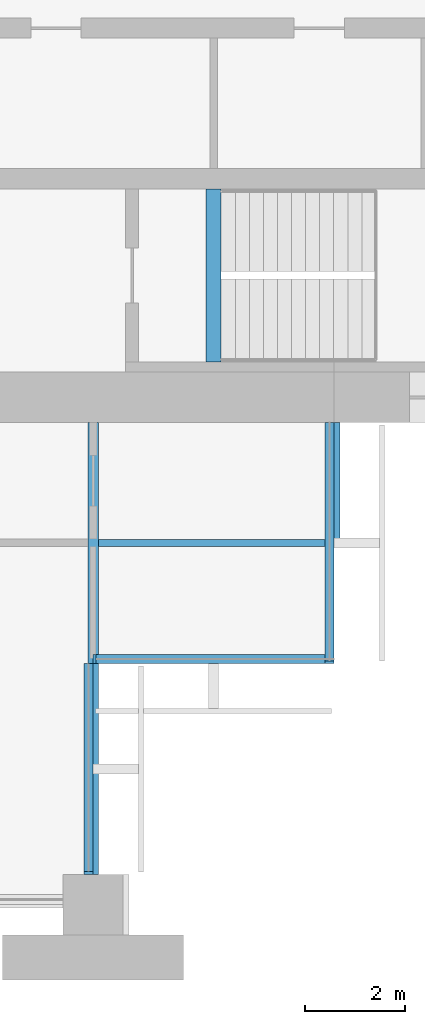
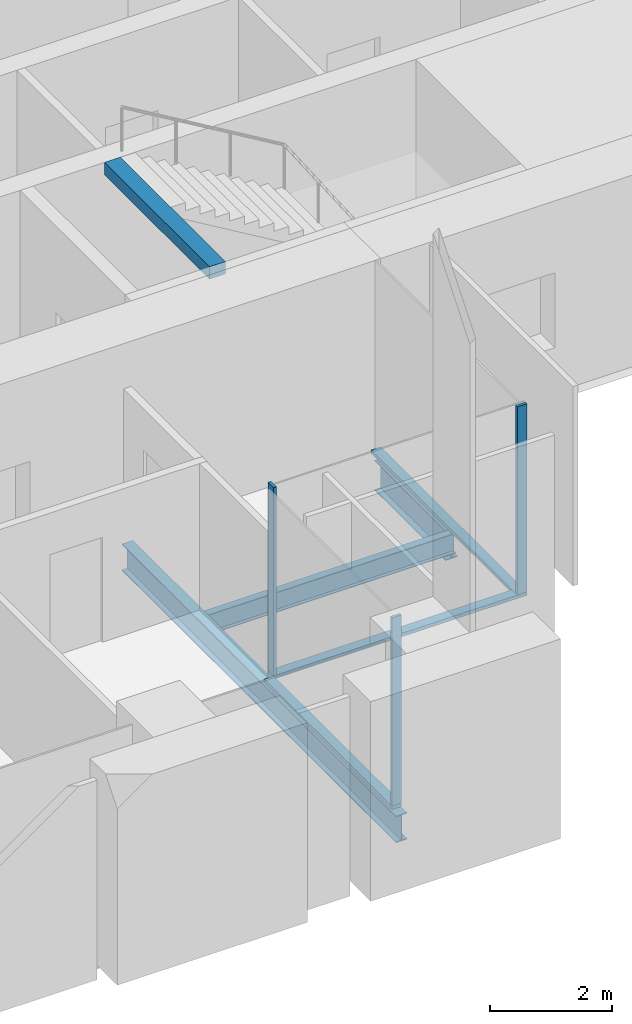
# One storey, part 4 of 14: 6 members, 4 beams, 3 elements without a shape of their own.
"""IFC4 building model written with IfcOpenShell, lengths in metres."""

from ifc_helpers import new_model, si_unit, direction, frame, origin, origin_2d, place, context, subcontext, project, spatial, rectangle, i_section, extrude, material, material_profile, profile_set, type_object, element, aggregate, save


model = new_model("IFC4")

# Units and contexts
model_context = context("Model", 3, precision=1e-05, world=origin(), true_north=direction((0.0, 1.0)))
body_context = subcontext(model_context, "Body", "Model", "MODEL_VIEW")
ifc_project = project(units=[si_unit("LENGTHUNIT", "METRE"), si_unit("AREAUNIT", "SQUARE_METRE"), si_unit("VOLUMEUNIT", "CUBIC_METRE"), si_unit("PLANEANGLEUNIT", "RADIAN"), si_unit("MASSUNIT", "GRAM", prefix="KILO")], contexts=[model_context])

# Site, building, storey
site_placement = place(None, origin())
site = spatial("IfcSite", under=ifc_project, at=site_placement, CompositionType="ELEMENT")
building_placement = place(site_placement, origin())
building = spatial("IfcBuilding", under=site, at=building_placement, Name="Baori Bourse Tower", CompositionType="ELEMENT")
storey_placement = place(building_placement, frame((0.0, 0.0, 132.10009765625)))
storey = spatial("IfcBuildingStorey", under=building, at=storey_placement, Name="L28", CompositionType="ELEMENT", Elevation=132.10009765625)

# Curtain wall, member
ifc_material_1 = material(Name="Pale anodised aluminium", Category="aluminium")
curtain_wall_type = type_object("IfcCurtainWallType", Name="CW2 Curtain wall", PredefinedType="NOTDEFINED", material=ifc_material_1)
curtain_wall_1_placement = place(storey_placement, origin())
curtain_wall_1 = element("IfcCurtainWall", 1, at=curtain_wall_1_placement, inside=storey, type_object=curtain_wall_type, Name="Curtain wall CW2 L28 12", PredefinedType="NOTDEFINED")
ifc_material_2 = material(Name="Pale anodised aluminium", Category="aluminium")
ifc_material_profile_1 = material_profile(ifc_material_2, rectangle(XDim=0.179931640625, YDim=0.054931640625, at=origin_2d()), Name="Mullion 55x180")
ifc_profile_set_1 = profile_set([ifc_material_profile_1], Name="Pale anodised aluminium")
member_type_1 = type_object("IfcMemberType", Name="CW2 Curtain wall mullion", PredefinedType="MULLION", material=ifc_profile_set_1)
member_1_placement = place(storey_placement, frame((43.110107421875, 0.62744140625, 0.06982421875), z_axis=(0.0, 0.0, 1.0), x_axis=(-1.0, 0.0, 0.0)))
member_1 = element("IfcMember", 2, at=member_1_placement, type_object=member_type_1, Name="Curtain wall CW2 mullion", PredefinedType="MULLION", context=body_context, shape_type="SweptSolid", body=[
    extrude(rectangle(XDim=0.179931640625, YDim=0.054931640625, at=origin_2d()), origin(), (0.0, 0.0, 1.0), 3.77001953125),
])

curtain_wall_2_placement = place(storey_placement, origin())
curtain_wall_2 = element("IfcCurtainWall", 3, at=curtain_wall_2_placement, inside=storey, type_object=curtain_wall_type, Name="Curtain wall CW2 L28 13", PredefinedType="NOTDEFINED")
member_2_placement = place(storey_placement, frame((43.2275390625, 4.889892578125, 0.06982421875), z_axis=(0.0, 0.0, 1.0), x_axis=(0.0, 1.0, 0.0)))
member_2 = element("IfcMember", 4, at=member_2_placement, type_object=member_type_1, Name="Curtain wall CW2 mullion", PredefinedType="MULLION", context=body_context, shape_type="SweptSolid", body=[
    extrude(rectangle(XDim=0.179931640625, YDim=0.054931640625, at=origin_2d()), origin(), (0.0, 0.0, 1.0), 3.77001953125),
])

curtain_wall_3_placement = place(storey_placement, origin())
curtain_wall_3 = element("IfcCurtainWall", 5, at=curtain_wall_3_placement, inside=storey, type_object=curtain_wall_type, Name="Curtain wall CW2 L28 14", PredefinedType="NOTDEFINED")
member_3_placement = place(storey_placement, frame((47.909912109375, 4.827392578125, 0.06982421875), z_axis=(0.0, 0.0, 1.0), x_axis=(-1.0, 0.0, 0.0)))
member_3 = element("IfcMember", 6, at=member_3_placement, type_object=member_type_1, Name="Curtain wall CW2 mullion", PredefinedType="MULLION", context=body_context, shape_type="SweptSolid", body=[
    extrude(rectangle(XDim=0.179931640625, YDim=0.054931640625, at=origin_2d()), origin(), (0.0, 0.0, 1.0), 3.77001953125),
])

# Member
ifc_material_3 = material(Name="Pale anodised aluminium", Category="aluminium")
ifc_material_profile_2 = material_profile(ifc_material_3, rectangle(XDim=0.179931640625, YDim=0.070068359375, at=origin_2d()), Name="Transom 70x180")
ifc_profile_set_2 = profile_set([ifc_material_profile_2], Name="Pale anodised aluminium")
member_type_2 = type_object("IfcMemberType", Name="CW2 Curtain wall transom", PredefinedType="USERDEFINED", material=ifc_profile_set_2)
member_4_placement = place(storey_placement, frame((43.110107421875, 0.60009765625, 0.034912109375), z_axis=(0.0, 1.0, 0.0), x_axis=(-1.0, 0.0, 0.0)))
member_4 = element("IfcMember", 7, at=member_4_placement, type_object=member_type_2, Name="Curtain wall CW2 sill rail", ObjectType="TRANSOM", PredefinedType="USERDEFINED", context=body_context, shape_type="SweptSolid", body=[
    extrude(rectangle(XDim=0.179931640625, YDim=0.070068359375, at=origin_2d()), origin(), (0.0, 0.0, 1.0), 4.199951171875),
])

aggregate(curtain_wall_1, [member_4, member_1])

member_5_placement = place(storey_placement, frame((43.199951171875, 4.889892578125, 0.034912109375), z_axis=(1.0, 0.0, 0.0), x_axis=(0.0, 1.0, 0.0)))
member_5 = element("IfcMember", 8, at=member_5_placement, type_object=member_type_2, Name="Curtain wall CW2 sill rail", ObjectType="TRANSOM", PredefinedType="USERDEFINED", context=body_context, shape_type="SweptSolid", body=[
    extrude(rectangle(XDim=0.179931640625, YDim=0.070068359375, at=origin_2d()), origin(), (0.0, 0.0, 1.0), 4.800048828125),
])

aggregate(curtain_wall_2, [member_5, member_2])

member_6_placement = place(storey_placement, frame((47.909912109375, 4.800048828125, 0.034912109375), z_axis=(0.0, 1.0, 0.0), x_axis=(-1.0, 0.0, 0.0)))
member_6 = element("IfcMember", 9, at=member_6_placement, type_object=member_type_2, Name="Curtain wall CW2 sill rail", ObjectType="TRANSOM", PredefinedType="USERDEFINED", context=body_context, shape_type="SweptSolid", body=[
    extrude(rectangle(XDim=0.179931640625, YDim=0.070068359375, at=origin_2d()), origin(), (0.0, 0.0, 1.0), 4.800048828125),
])

aggregate(curtain_wall_3, [member_6, member_3])

# Beams
ifc_material_4 = material(Name="Steel A992 Gr 50", Category="steel")
ifc_material_profile_3 = material_profile(ifc_material_4, i_section(OverallWidth=0.227783203125, OverallDepth=0.60205078125, WebThickness=0.010498046875, FlangeThickness=0.014892578125, at=origin_2d()), Name="W24x68")
ifc_profile_set_3 = profile_set([ifc_material_profile_3], Name="Steel A992 Gr 50")
beam_type_1 = type_object("IfcBeamType", Name="Core bracket W24x68", PredefinedType="BEAM", material=ifc_profile_set_3)
beam_1_placement = place(storey_placement, frame((48.0, 7.270263671875, -0.461181640625), z_axis=(0.0, 1.0, 0.0), x_axis=(-1.0, 0.0, 0.0)))
element("IfcBeam", 10, at=beam_1_placement, inside=storey, type_object=beam_type_1, Name="Core bracket L28", PredefinedType="BEAM", context=body_context, shape_type="SweptSolid", body=[
    extrude(i_section(OverallWidth=0.227783203125, OverallDepth=0.60205078125, WebThickness=0.010498046875, FlangeThickness=0.014892578125, at=origin_2d()), origin(), (0.0, 0.0, 1.0), 2.329833984375),
])
ifc_material_5 = material(Name="Steel A992 Gr 50", Category="steel")
ifc_material_profile_4 = material_profile(ifc_material_5, i_section(OverallWidth=0.209228515625, OverallDepth=0.533447265625, WebThickness=0.01025390625, FlangeThickness=0.015625, at=origin_2d()), Name="W21x62")
ifc_profile_set_4 = profile_set([ifc_material_profile_4], Name="Steel A992 Gr 50")
beam_type_2 = type_object("IfcBeamType", Name="Floor beam W21x62", PredefinedType="BEAM", material=ifc_profile_set_4)
beam_2_placement = place(storey_placement, frame((43.199951171875, 0.60009765625, -0.4267578125), z_axis=(0.0, 1.0, 0.0), x_axis=(-1.0, 0.0, 0.0)))
element("IfcBeam", 11, at=beam_2_placement, inside=storey, type_object=beam_type_2, Name="Floor beam L28", PredefinedType="BEAM", context=body_context, shape_type="SweptSolid", body=[
    extrude(i_section(OverallWidth=0.209228515625, OverallDepth=0.533447265625, WebThickness=0.01025390625, FlangeThickness=0.015625, at=origin_2d()), origin(), (0.0, 0.0, 1.0), 9.0),
])
ifc_material_6 = material(Name="Concrete f'c 50 MPa", Category="concrete")
ifc_material_profile_5 = material_profile(ifc_material_6, rectangle(XDim=0.300048828125, YDim=0.25, at=origin_2d()), Name="RC 300x250")
ifc_profile_set_5 = profile_set([ifc_material_profile_5], Name="Concrete f'c 50 MPa")
beam_type_3 = type_object("IfcBeamType", Name="Stair nib beam RC 300x250", PredefinedType="BEAM", material=ifc_profile_set_5)
beam_3_placement = place(storey_placement, frame((45.60009765625, 10.800048828125, 3.71484375), z_axis=(0.0, 1.0, 0.0), x_axis=(-1.0, 0.0, 0.0)))
element("IfcBeam", 12, at=beam_3_placement, inside=storey, type_object=beam_type_3, Name="Stair EA nib beam L29", PredefinedType="BEAM", context=body_context, shape_type="SweptSolid", body=[
    extrude(rectangle(XDim=0.300048828125, YDim=0.25, at=origin_2d()), origin(), (0.0, 0.0, 1.0), 3.449951171875),
])
ifc_material_7 = material(Name="Steel A992 Gr 50", Category="steel")
ifc_material_profile_6 = material_profile(ifc_material_7, i_section(OverallWidth=0.140380859375, OverallDepth=0.40380859375, WebThickness=0.007080078125, FlangeThickness=0.01123046875, at=origin_2d()), Name="W16x31")
ifc_profile_set_6 = profile_set([ifc_material_profile_6], Name="Steel A992 Gr 50")
beam_type_4 = type_object("IfcBeamType", Name="Trimmer beam W16x31", PredefinedType="BEAM", material=ifc_profile_set_6)
beam_4_placement = place(storey_placement, frame((43.3046875, 7.199951171875, -0.362060546875), z_axis=(1.0, 0.0, 0.0), x_axis=(0.0, 1.0, 0.0)))
element("IfcBeam", 13, at=beam_4_placement, inside=storey, type_object=beam_type_4, Name="Trimmer beam L28", PredefinedType="BEAM", context=body_context, shape_type="SweptSolid", body=[
    extrude(i_section(OverallWidth=0.140380859375, OverallDepth=0.40380859375, WebThickness=0.007080078125, FlangeThickness=0.01123046875, at=origin_2d()), origin(), (0.0, 0.0, 1.0), 4.6953125),
])

save(model, "model.ifc")
